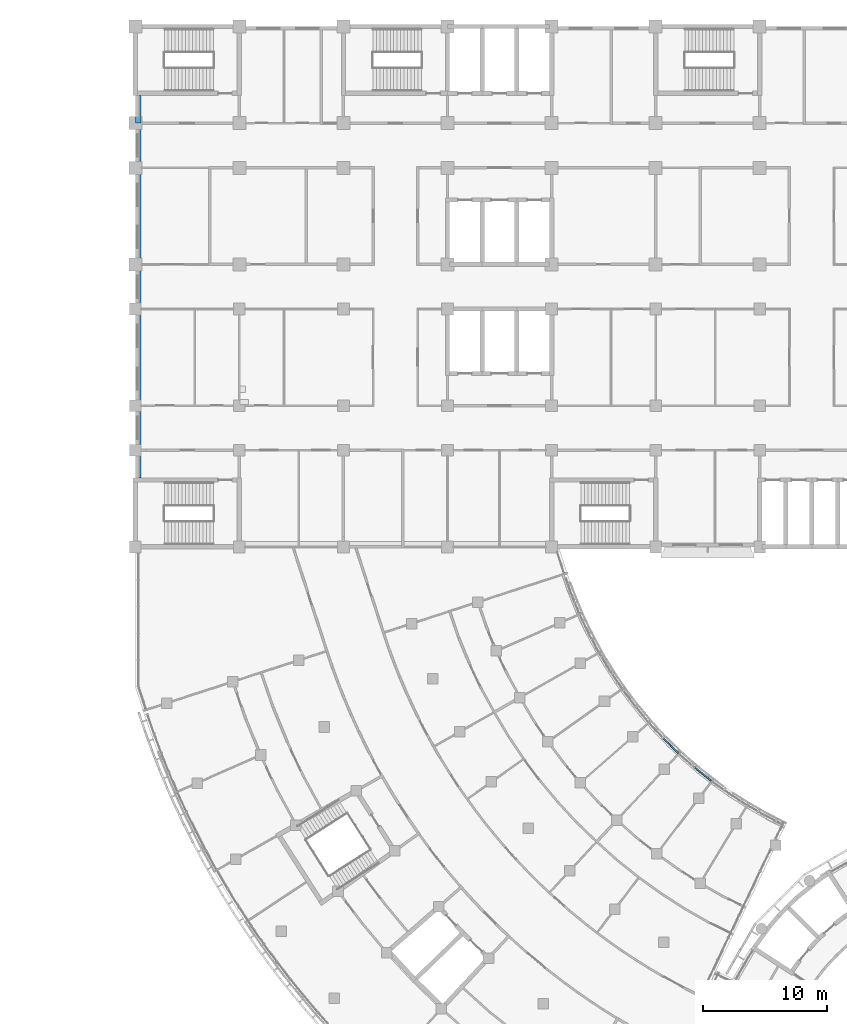
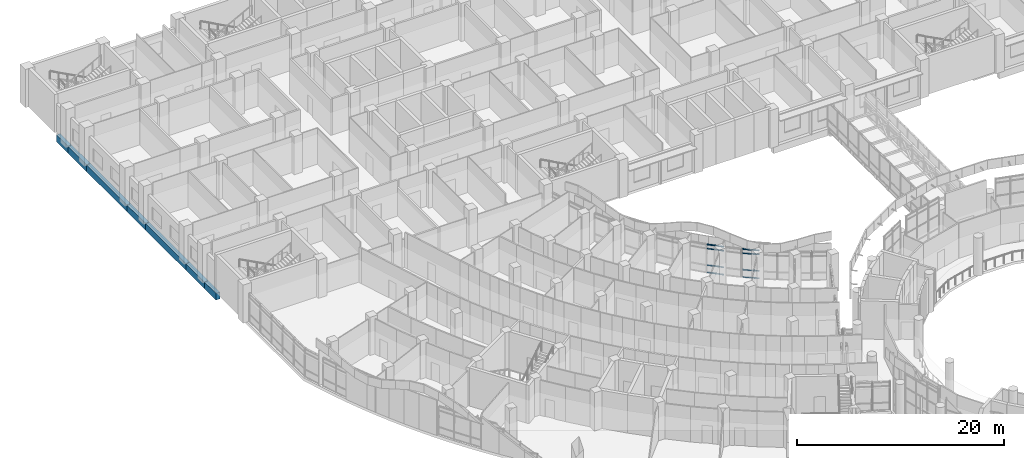
# One storey, part 19 of 136: 8 members, 7 beams, 2 elements without a shape of their own.
"""IFC4 building model written with IfcOpenShell, lengths in metres."""

from ifc_helpers import new_model, si_unit, direction, frame, origin, origin_2d, place, context, subcontext, project, spatial, rectangle, extrude, material, material_profile, profile_set, type_object, element, aggregate, save


model = new_model("IFC4")

# Units and contexts
model_context = context("Model", 3, precision=1e-05, world=origin(), true_north=direction((0.0, 1.0)))
body_context = subcontext(model_context, "Body", "Model", "MODEL_VIEW")
ifc_project = project(units=[si_unit("LENGTHUNIT", "METRE"), si_unit("AREAUNIT", "SQUARE_METRE"), si_unit("VOLUMEUNIT", "CUBIC_METRE"), si_unit("PLANEANGLEUNIT", "RADIAN"), si_unit("MASSUNIT", "GRAM", prefix="KILO")], contexts=[model_context])

# Site, building, storey
site_placement = place(None, origin())
site = spatial("IfcSite", under=ifc_project, at=site_placement, CompositionType="ELEMENT")
building_placement = place(site_placement, origin())
building = spatial("IfcBuilding", under=site, at=building_placement, Name="Bougainvillea Quay General Hospital", CompositionType="ELEMENT")
storey_placement = place(building_placement, frame((0.0, 0.0, 5.39990234375)))
storey = spatial("IfcBuildingStorey", under=building, at=storey_placement, Name="L01", CompositionType="ELEMENT", Elevation=5.39990234375)

# Curtain wall, members
ifc_material_1 = material(Name="Aluminium curtain wall system, powder-coated glazed", Category="aluminium")
curtain_wall_type = type_object("IfcCurtainWallType", Name="Unitised curtain wall CW-2100", PredefinedType="NOTDEFINED", material=ifc_material_1)
curtain_wall_1_placement = place(storey_placement, origin())
curtain_wall_1 = element("IfcCurtainWall", 1, at=curtain_wall_1_placement, inside=storey, type_object=curtain_wall_type, Name="CW-W03 a11b2", PredefinedType="NOTDEFINED")
ifc_material_2 = material(Name="Aluminium transom, powder-coated charcoal", Category="aluminium")
ifc_material_profile_1 = material_profile(ifc_material_2, rectangle(XDim=0.1201171875, YDim=0.06005859375, at=origin_2d()))
ifc_profile_set_1 = profile_set([ifc_material_profile_1], Name="Aluminium transom, powder-coated charcoal")
member_type = type_object("IfcMemberType", Name="Curtain wall transom 120x60", PredefinedType="USERDEFINED", material=ifc_profile_set_1)
member_1_placement = place(storey_placement, frame((88.48193359375, 98.728759765625, 0.030029296875), z_axis=(-0.781750163409, 0.623591759094, 0.0), x_axis=(-0.623591759094, -0.781750163409, 0.0)))
member_1 = element("IfcMember", 2, at=member_1_placement, type_object=member_type, Name="CW-W03 transom 1.1", ObjectType="TRANSOM", PredefinedType="USERDEFINED", context=body_context, shape_type="SweptSolid", body=[
    extrude(rectangle(XDim=0.1201171875, YDim=0.06005859375, at=origin_2d()), origin(), (0.0, 0.0, 1.0), 1.64697265625),
])
member_2_placement = place(storey_placement, frame((88.48193359375, 98.728759765625, 0.900146484375), z_axis=(-0.781750163409, 0.623591759094, 0.0), x_axis=(-0.623591759094, -0.781750163409, 0.0)))
member_2 = element("IfcMember", 3, at=member_2_placement, type_object=member_type, Name="CW-W03 transom 1.2", ObjectType="TRANSOM", PredefinedType="USERDEFINED", context=body_context, shape_type="SweptSolid", body=[
    extrude(rectangle(XDim=0.1201171875, YDim=0.06005859375, at=origin_2d()), origin(), (0.0, 0.0, 1.0), 1.64697265625),
])
member_3_placement = place(storey_placement, frame((88.48193359375, 98.728759765625, 2.85009765625), z_axis=(-0.781750163409, 0.623591759094, 0.0), x_axis=(-0.623591759094, -0.781750163409, 0.0)))
member_3 = element("IfcMember", 4, at=member_3_placement, type_object=member_type, Name="CW-W03 transom 1.3", ObjectType="TRANSOM", PredefinedType="USERDEFINED", context=body_context, shape_type="SweptSolid", body=[
    extrude(rectangle(XDim=0.1201171875, YDim=0.06005859375, at=origin_2d()), origin(), (0.0, 0.0, 1.0), 1.64697265625),
])
member_4_placement = place(storey_placement, frame((88.48193359375, 98.728759765625, 3.320068359375), z_axis=(-0.781750163409, 0.623591759094, 0.0), x_axis=(-0.623591759094, -0.781750163409, 0.0)))
member_4 = element("IfcMember", 5, at=member_4_placement, type_object=member_type, Name="CW-W03 transom 1.4", ObjectType="TRANSOM", PredefinedType="USERDEFINED", context=body_context, shape_type="SweptSolid", body=[
    extrude(rectangle(XDim=0.1201171875, YDim=0.06005859375, at=origin_2d()), origin(), (0.0, 0.0, 1.0), 1.64697265625),
])
aggregate(curtain_wall_1, [member_1, member_2, member_3, member_4])

curtain_wall_2_placement = place(storey_placement, origin())
curtain_wall_2 = element("IfcCurtainWall", 6, at=curtain_wall_2_placement, inside=storey, type_object=curtain_wall_type, Name="CW-W04 a11b3", PredefinedType="NOTDEFINED")
member_5_placement = place(storey_placement, frame((85.82666015625, 100.967041015625, 0.030029296875), z_axis=(-0.714553654445, 0.699580642184, 0.0), x_axis=(-0.699580642184, -0.714553654445, 0.0)))
member_5 = element("IfcMember", 7, at=member_5_placement, type_object=member_type, Name="CW-W04 transom 1.1", ObjectType="TRANSOM", PredefinedType="USERDEFINED", context=body_context, shape_type="SweptSolid", body=[
    extrude(rectangle(XDim=0.1201171875, YDim=0.06005859375, at=origin_2d()), origin(), (0.0, 0.0, 1.0), 1.646728515625),
])
member_6_placement = place(storey_placement, frame((85.82666015625, 100.967041015625, 0.900146484375), z_axis=(-0.714553654445, 0.699580642184, 0.0), x_axis=(-0.699580642184, -0.714553654445, 0.0)))
member_6 = element("IfcMember", 8, at=member_6_placement, type_object=member_type, Name="CW-W04 transom 1.2", ObjectType="TRANSOM", PredefinedType="USERDEFINED", context=body_context, shape_type="SweptSolid", body=[
    extrude(rectangle(XDim=0.1201171875, YDim=0.06005859375, at=origin_2d()), origin(), (0.0, 0.0, 1.0), 1.646728515625),
])
member_7_placement = place(storey_placement, frame((85.82666015625, 100.967041015625, 2.85009765625), z_axis=(-0.714553654445, 0.699580642184, 0.0), x_axis=(-0.699580642184, -0.714553654445, 0.0)))
member_7 = element("IfcMember", 9, at=member_7_placement, type_object=member_type, Name="CW-W04 transom 1.3", ObjectType="TRANSOM", PredefinedType="USERDEFINED", context=body_context, shape_type="SweptSolid", body=[
    extrude(rectangle(XDim=0.1201171875, YDim=0.06005859375, at=origin_2d()), origin(), (0.0, 0.0, 1.0), 1.646728515625),
])
member_8_placement = place(storey_placement, frame((85.82666015625, 100.967041015625, 3.320068359375), z_axis=(-0.714553654445, 0.699580642184, 0.0), x_axis=(-0.699580642184, -0.714553654445, 0.0)))
member_8 = element("IfcMember", 10, at=member_8_placement, type_object=member_type, Name="CW-W04 transom 1.4", ObjectType="TRANSOM", PredefinedType="USERDEFINED", context=body_context, shape_type="SweptSolid", body=[
    extrude(rectangle(XDim=0.1201171875, YDim=0.06005859375, at=origin_2d()), origin(), (0.0, 0.0, 1.0), 1.646728515625),
])
aggregate(curtain_wall_2, [member_5, member_6, member_7, member_8])

# Beams
ifc_material_3 = material(Name="Concrete C40", Category="concrete")
ifc_material_profile_2 = material_profile(ifc_material_3, rectangle(XDim=0.449951171875, YDim=0.800048828125, at=origin_2d()))
ifc_profile_set_2 = profile_set([ifc_material_profile_2], Name="Concrete C40")
beam_type = type_object("IfcBeamType", Name="RC BEAM 450x800 C40", PredefinedType="BEAM", material=ifc_profile_set_2)
beam_1_placement = place(storey_placement, frame((42.22509765625, 154.02490234375, -0.699951171875), z_axis=(0.0, -1.0, 0.0), x_axis=(1.0, 0.0, 0.0)))
element("IfcBeam", 11, at=beam_1_placement, inside=storey, type_object=beam_type, Name="Edge beam L01", PredefinedType="BEAM", context=body_context, shape_type="SweptSolid", body=[
    extrude(rectangle(XDim=0.449951171875, YDim=0.800048828125, at=origin_2d()), origin(), (0.0, 0.0, 1.0), 2.224853515625),
])
beam_2_placement = place(storey_placement, frame((42.22509765625, 151.800048828125, -0.699951171875), z_axis=(0.0, -1.0, 0.0), x_axis=(1.0, 0.0, 0.0)))
element("IfcBeam", 12, at=beam_2_placement, inside=storey, type_object=beam_type, Name="Edge beam L01", PredefinedType="BEAM", context=body_context, shape_type="SweptSolid", body=[
    extrude(rectangle(XDim=0.449951171875, YDim=0.800048828125, at=origin_2d()), origin(), (0.0, 0.0, 1.0), 3.60009765625),
])
beam_3_placement = place(storey_placement, frame((42.22509765625, 148.199951171875, -0.699951171875), z_axis=(0.0, -1.0, 0.0), x_axis=(1.0, 0.0, 0.0)))
element("IfcBeam", 13, at=beam_3_placement, inside=storey, type_object=beam_type, Name="Edge beam L01", PredefinedType="BEAM", context=body_context, shape_type="SweptSolid", body=[
    extrude(rectangle(XDim=0.449951171875, YDim=0.800048828125, at=origin_2d()), origin(), (0.0, 0.0, 1.0), 7.800048828125),
])
beam_4_placement = place(storey_placement, frame((42.22509765625, 140.39990234375, -0.699951171875), z_axis=(0.0, -1.0, 0.0), x_axis=(1.0, 0.0, 0.0)))
element("IfcBeam", 14, at=beam_4_placement, inside=storey, type_object=beam_type, Name="Edge beam L01", PredefinedType="BEAM", context=body_context, shape_type="SweptSolid", body=[
    extrude(rectangle(XDim=0.449951171875, YDim=0.800048828125, at=origin_2d()), origin(), (0.0, 0.0, 1.0), 3.599853515625),
])
beam_5_placement = place(storey_placement, frame((42.22509765625, 136.800048828125, -0.699951171875), z_axis=(0.0, -1.0, 0.0), x_axis=(1.0, 0.0, 0.0)))
element("IfcBeam", 15, at=beam_5_placement, inside=storey, type_object=beam_type, Name="Edge beam L01", PredefinedType="BEAM", context=body_context, shape_type="SweptSolid", body=[
    extrude(rectangle(XDim=0.449951171875, YDim=0.800048828125, at=origin_2d()), origin(), (0.0, 0.0, 1.0), 7.800048828125),
])
beam_6_placement = place(storey_placement, frame((42.22509765625, 129.0, -0.699951171875), z_axis=(0.0, -1.0, 0.0), x_axis=(1.0, 0.0, 0.0)))
element("IfcBeam", 16, at=beam_6_placement, inside=storey, type_object=beam_type, Name="Edge beam L01", PredefinedType="BEAM", context=body_context, shape_type="SweptSolid", body=[
    extrude(rectangle(XDim=0.449951171875, YDim=0.800048828125, at=origin_2d()), origin(), (0.0, 0.0, 1.0), 3.60009765625),
])
beam_7_placement = place(storey_placement, frame((42.22509765625, 125.39990234375, -0.699951171875), z_axis=(0.0, -1.0, 0.0), x_axis=(1.0, 0.0, 0.0)))
element("IfcBeam", 17, at=beam_7_placement, inside=storey, type_object=beam_type, Name="Edge beam L01", PredefinedType="BEAM", context=body_context, shape_type="SweptSolid", body=[
    extrude(rectangle(XDim=0.449951171875, YDim=0.800048828125, at=origin_2d()), origin(), (0.0, 0.0, 1.0), 2.224853515625),
])

save(model, "model.ifc")
